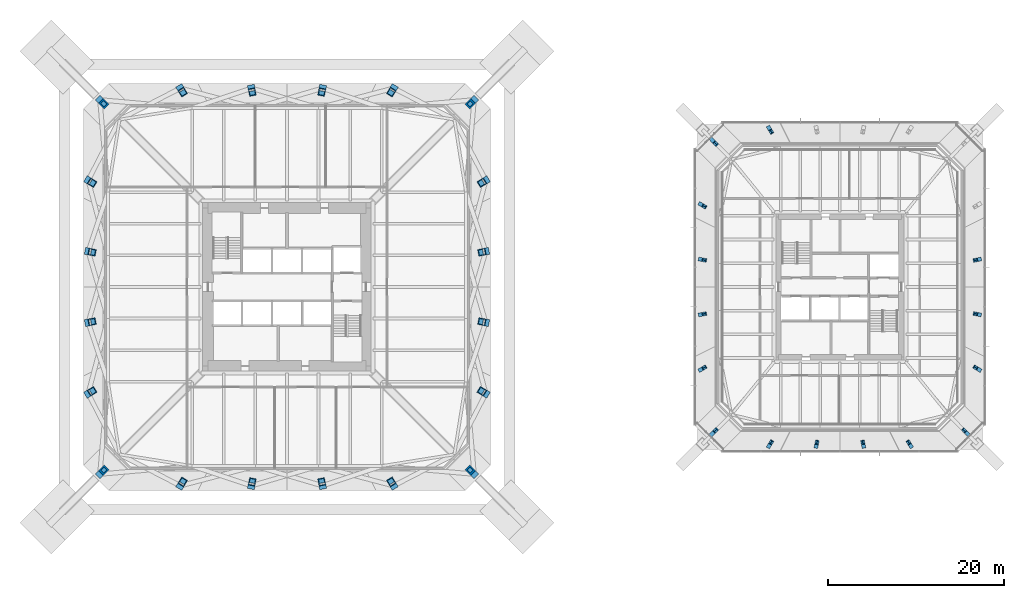
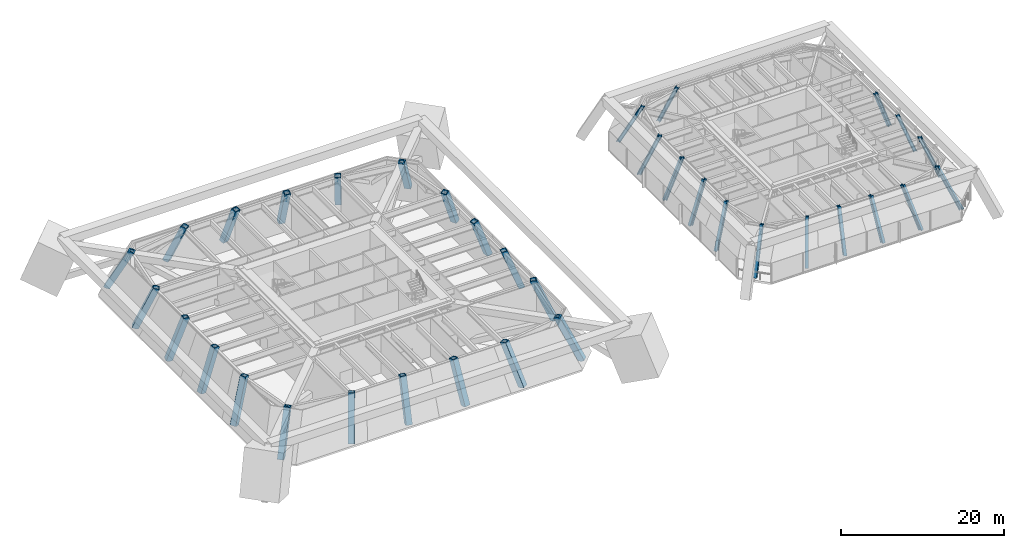
# One storey, part 1 of 16: 35 columns.
"""IFC4 building model written with IfcOpenShell, lengths in metres."""

from ifc_helpers import new_model, si_unit, direction, frame, origin, origin_2d, place, context, subcontext, project, spatial, hollow_rectangle, i_section, extrude, clip, halfspace, material, material_profile, profile_set, type_object, element, save


model = new_model("IFC4")

# Units and contexts
model_context = context("Model", 3, precision=1e-05, world=origin(), true_north=direction((0.0, 1.0)))
body_context = subcontext(model_context, "Body", "Model", "MODEL_VIEW")
ifc_project = project(units=[si_unit("LENGTHUNIT", "METRE"), si_unit("AREAUNIT", "SQUARE_METRE"), si_unit("VOLUMEUNIT", "CUBIC_METRE"), si_unit("PLANEANGLEUNIT", "RADIAN"), si_unit("MASSUNIT", "GRAM", prefix="KILO")], contexts=[model_context])

# Site, building, storey
site_placement = place(None, origin())
site = spatial("IfcSite", under=ifc_project, at=site_placement, CompositionType="ELEMENT")
building_placement = place(site_placement, origin())
building = spatial("IfcBuilding", under=site, at=building_placement, Name="Iwan Alto Co-Living Towers", CompositionType="ELEMENT")
storey_placement = place(building_placement, frame((0.0, 0.0, 74.5)))
storey = spatial("IfcBuildingStorey", under=building, at=storey_placement, Name="L20", CompositionType="ELEMENT", Elevation=74.5)

# Columns
ifc_material_1 = material(Name="Steel ASTM A36", Category="steel")
ifc_material_profile_1 = material_profile(ifc_material_1, hollow_rectangle(XDim=0.800048828125, YDim=0.800048828125, WallThickness=0.179931640625, at=origin_2d()), Name="BOX 800X800X180")
ifc_profile_set_1 = profile_set([ifc_material_profile_1], Name="Steel ASTM A36")
column_type_1 = type_object("IfcColumnType", Name="T1 HEAVY RAKING RING COLUMN BOX 800X800X180", PredefinedType="COLUMN", material=ifc_profile_set_1)
column_1_placement = place(storey_placement, frame((-21.32568359375, -21.32568359375, 0.0), z_axis=(0.331294578225, 0.331294578225, 0.883452208599), x_axis=(-0.707106781187, 0.707106781187, 0.0)))
element("IfcColumn", 1, at=column_1_placement, inside=storey, type_object=column_type_1, Name="T1 raking ring column CSW L20", PredefinedType="COLUMN", context=body_context, shape_type="Clipping", body=[
    clip(clip(extrude(hollow_rectangle(XDim=0.800048828125, YDim=0.800048828125, WallThickness=0.179931640625, at=origin_2d()), origin(), (0.0, 0.0, 1.0), 6.79150390625), halfspace(frame((0.0, 0.0, 0.0), z_axis=(0.0, -0.468521285666, -0.883452208599), x_axis=(-0.707106781187, -0.624695047554, 0.331294578225)), False)), halfspace(frame((0.0, 2.81103515625, 5.30078125), z_axis=(0.0, 0.468521285666, 0.883452208599), x_axis=(-0.707106781187, -0.624695047554, 0.331294578225)), False)),
])
column_2_placement = place(storey_placement, frame((21.32568359375, -21.32568359375, 0.0), z_axis=(-0.331294578225, 0.331294578225, 0.883452208599), x_axis=(-0.707106781187, -0.707106781187, 0.0)))
element("IfcColumn", 2, at=column_2_placement, inside=storey, type_object=column_type_1, Name="T1 raking ring column CSE L20", PredefinedType="COLUMN", context=body_context, shape_type="Clipping", body=[
    clip(clip(extrude(hollow_rectangle(XDim=0.800048828125, YDim=0.800048828125, WallThickness=0.179931640625, at=origin_2d()), origin(), (0.0, 0.0, 1.0), 6.79150390625), halfspace(frame((0.0, 0.0, 0.0), z_axis=(0.0, -0.468521285666, -0.883452208599), x_axis=(-0.707106781187, 0.624695047554, -0.331294578225)), False)), halfspace(frame((0.0, 2.81103515625, 5.30078125), z_axis=(0.0, 0.468521285666, 0.883452208599), x_axis=(-0.707106781187, 0.624695047554, -0.331294578225)), False)),
])
column_3_placement = place(storey_placement, frame((21.32568359375, 21.32568359375, 0.0), z_axis=(-0.331294578225, -0.331294578225, 0.883452208599), x_axis=(0.707106781187, -0.707106781187, 0.0)))
element("IfcColumn", 3, at=column_3_placement, inside=storey, type_object=column_type_1, Name="T1 raking ring column CNE L20", PredefinedType="COLUMN", context=body_context, shape_type="Clipping", body=[
    clip(clip(extrude(hollow_rectangle(XDim=0.800048828125, YDim=0.800048828125, WallThickness=0.179931640625, at=origin_2d()), origin(), (0.0, 0.0, 1.0), 6.79150390625), halfspace(frame((0.0, 0.0, 0.0), z_axis=(0.0, -0.468521285666, -0.883452208599), x_axis=(0.707106781187, 0.624695047554, -0.331294578225)), False)), halfspace(frame((0.0, 2.81103515625, 5.30078125), z_axis=(0.0, 0.468521285666, 0.883452208599), x_axis=(0.707106781187, 0.624695047554, -0.331294578225)), False)),
])
column_4_placement = place(storey_placement, frame((-21.32568359375, 21.32568359375, 0.0), z_axis=(0.331294578225, -0.331294578225, 0.883452208599), x_axis=(0.707106781187, 0.707106781187, 0.0)))
element("IfcColumn", 4, at=column_4_placement, inside=storey, type_object=column_type_1, Name="T1 raking ring column CNW L20", PredefinedType="COLUMN", context=body_context, shape_type="Clipping", body=[
    clip(clip(extrude(hollow_rectangle(XDim=0.800048828125, YDim=0.800048828125, WallThickness=0.179931640625, at=origin_2d()), origin(), (0.0, 0.0, 1.0), 6.79150390625), halfspace(frame((0.0, 0.0, 0.0), z_axis=(0.0, -0.468521285666, -0.883452208599), x_axis=(0.707106781187, -0.624695047554, 0.331294578225)), False)), halfspace(frame((0.0, 2.81103515625, 5.30078125), z_axis=(0.0, 0.468521285666, 0.883452208599), x_axis=(0.707106781187, -0.624695047554, 0.331294578225)), False)),
])
ifc_material_2 = material(Name="Steel ASTM A572 Gr 50", Category="steel")
ifc_material_profile_2 = material_profile(ifc_material_2, hollow_rectangle(XDim=0.800048828125, YDim=0.800048828125, WallThickness=0.090087890625, at=origin_2d()), Name="BOX 800X800X90")
ifc_profile_set_2 = profile_set([ifc_material_profile_2], Name="Steel ASTM A572 Gr 50")
column_type_2 = type_object("IfcColumnType", Name="T1 RAKING RING COLUMN BOX 800X800X90", PredefinedType="COLUMN", material=ifc_profile_set_2)
column_5_placement = place(storey_placement, frame((-12.14990234375, -22.64990234375, 0.0), z_axis=(0.206127500627, 0.343583115532, 0.91622164142), x_axis=(-0.857517554715, 0.514454704863, 0.0)))
element("IfcColumn", 5, at=column_5_placement, inside=storey, type_object=column_type_2, Name="T1 raking ring column S1 L20", PredefinedType="COLUMN", context=body_context, shape_type="Clipping", body=[
    clip(clip(extrude(hollow_rectangle(XDim=0.800048828125, YDim=0.800048828125, WallThickness=0.090087890625, at=origin_2d()), origin(), (0.0, 0.0, 1.0), 6.548583984375), halfspace(frame((0.0, 0.0, 0.0), z_axis=(0.0, -0.400671815572, -0.91622164142), x_axis=(-0.857517554715, -0.471354534126, 0.206127500627)), False)), halfspace(frame((0.0, 2.404052734375, 5.497314453125), z_axis=(0.0, 0.400671815572, 0.91622164142), x_axis=(-0.857517554715, -0.471354534126, 0.206127500627)), False)),
])
column_6_placement = place(storey_placement, frame((-4.050048828125, -22.64990234375, 0.0), z_axis=(0.070044605522, 0.350261033367, 0.934029422311), x_axis=(-0.980584767795, 0.196095673508, 0.0)))
element("IfcColumn", 6, at=column_6_placement, inside=storey, type_object=column_type_2, Name="T1 raking ring column S2 L20", PredefinedType="COLUMN", context=body_context, shape_type="Clipping", body=[
    clip(clip(extrude(hollow_rectangle(XDim=0.800048828125, YDim=0.800048828125, WallThickness=0.090087890625, at=origin_2d()), origin(), (0.0, 0.0, 1.0), 6.423828125), halfspace(frame((0.0, 0.0, 0.0), z_axis=(0.0, -0.357196078167, -0.934029422311), x_axis=(-0.980584767795, -0.183159128644, 0.070044605522)), False)), halfspace(frame((0.0, 2.14306640625, 5.604248046875), z_axis=(0.0, 0.357196078167, 0.934029422311), x_axis=(-0.980584767795, -0.183159128644, 0.070044605522)), False)),
])
column_7_placement = place(storey_placement, frame((4.050048828125, -22.64990234375, 0.0), z_axis=(-0.070044605522, 0.350261033367, 0.934029422311), x_axis=(-0.980584767795, -0.196095673508, 0.0)))
element("IfcColumn", 7, at=column_7_placement, inside=storey, type_object=column_type_2, Name="T1 raking ring column S3 L20", PredefinedType="COLUMN", context=body_context, shape_type="Clipping", body=[
    clip(clip(extrude(hollow_rectangle(XDim=0.800048828125, YDim=0.800048828125, WallThickness=0.090087890625, at=origin_2d()), origin(), (0.0, 0.0, 1.0), 6.423828125), halfspace(frame((0.0, 0.0, 0.0), z_axis=(0.0, -0.357196078167, -0.934029422311), x_axis=(-0.980584767795, 0.183159128644, -0.070044605522)), False)), halfspace(frame((0.0, 2.14306640625, 5.604248046875), z_axis=(0.0, 0.357196078167, 0.934029422311), x_axis=(-0.980584767795, 0.183159128644, -0.070044605522)), False)),
])
column_8_placement = place(storey_placement, frame((12.14990234375, -22.64990234375, 0.0), z_axis=(-0.206127500627, 0.343583115532, 0.91622164142), x_axis=(-0.857517554715, -0.514454704863, 0.0)))
element("IfcColumn", 8, at=column_8_placement, inside=storey, type_object=column_type_2, Name="T1 raking ring column S4 L20", PredefinedType="COLUMN", context=body_context, shape_type="Clipping", body=[
    clip(clip(extrude(hollow_rectangle(XDim=0.800048828125, YDim=0.800048828125, WallThickness=0.090087890625, at=origin_2d()), origin(), (0.0, 0.0, 1.0), 6.548583984375), halfspace(frame((0.0, 0.0, 0.0), z_axis=(0.0, -0.400671815572, -0.91622164142), x_axis=(-0.857517554715, 0.471354534126, -0.206127500627)), False)), halfspace(frame((0.0, 2.404052734375, 5.497314453125), z_axis=(0.0, 0.400671815572, 0.91622164142), x_axis=(-0.857517554715, 0.471354534126, -0.206127500627)), False)),
])
column_9_placement = place(storey_placement, frame((22.64990234375, -12.14990234375, 0.0), z_axis=(-0.343583115532, 0.206127500627, 0.91622164142), x_axis=(-0.514454704863, -0.857517554715, 0.0)))
element("IfcColumn", 9, at=column_9_placement, inside=storey, type_object=column_type_2, Name="T1 raking ring column E1 L20", PredefinedType="COLUMN", context=body_context, shape_type="Clipping", body=[
    clip(clip(extrude(hollow_rectangle(XDim=0.800048828125, YDim=0.800048828125, WallThickness=0.090087890625, at=origin_2d()), origin(), (0.0, 0.0, 1.0), 6.548583984375), halfspace(frame((0.0, 0.0, 0.0), z_axis=(0.0, -0.400671815572, -0.91622164142), x_axis=(-0.514454704863, 0.785676141527, -0.343583115532)), False)), halfspace(frame((0.0, 2.404052734375, 5.497314453125), z_axis=(0.0, 0.400671815572, 0.91622164142), x_axis=(-0.514454704863, 0.785676141527, -0.343583115532)), False)),
])
column_10_placement = place(storey_placement, frame((22.64990234375, -4.050048828125, 0.0), z_axis=(-0.350261033367, 0.070044605522, 0.934029422311), x_axis=(-0.196095673508, -0.980584767795, 0.0)))
element("IfcColumn", 10, at=column_10_placement, inside=storey, type_object=column_type_2, Name="T1 raking ring column E2 L20", PredefinedType="COLUMN", context=body_context, shape_type="Clipping", body=[
    clip(clip(extrude(hollow_rectangle(XDim=0.800048828125, YDim=0.800048828125, WallThickness=0.090087890625, at=origin_2d()), origin(), (0.0, 0.0, 1.0), 6.423828125), halfspace(frame((0.0, 0.0, 0.0), z_axis=(0.0, -0.357196078167, -0.934029422311), x_axis=(-0.196095673508, 0.91589502419, -0.350261033367)), False)), halfspace(frame((0.0, 2.14306640625, 5.604248046875), z_axis=(0.0, 0.357196078167, 0.934029422311), x_axis=(-0.196095673508, 0.91589502419, -0.350261033367)), False)),
])
column_11_placement = place(storey_placement, frame((22.64990234375, 4.050048828125, 0.0), z_axis=(-0.350261033367, -0.070044605522, 0.934029422311), x_axis=(0.196095673508, -0.980584767795, 0.0)))
element("IfcColumn", 11, at=column_11_placement, inside=storey, type_object=column_type_2, Name="T1 raking ring column E3 L20", PredefinedType="COLUMN", context=body_context, shape_type="Clipping", body=[
    clip(clip(extrude(hollow_rectangle(XDim=0.800048828125, YDim=0.800048828125, WallThickness=0.090087890625, at=origin_2d()), origin(), (0.0, 0.0, 1.0), 6.423828125), halfspace(frame((0.0, 0.0, 0.0), z_axis=(0.0, -0.357196078167, -0.934029422311), x_axis=(0.196095673508, 0.91589502419, -0.350261033367)), False)), halfspace(frame((0.0, 2.14306640625, 5.604248046875), z_axis=(0.0, 0.357196078167, 0.934029422311), x_axis=(0.196095673508, 0.91589502419, -0.350261033367)), False)),
])
column_12_placement = place(storey_placement, frame((22.64990234375, 12.14990234375, 0.0), z_axis=(-0.343583115532, -0.206127500627, 0.91622164142), x_axis=(0.514454704863, -0.857517554715, 0.0)))
element("IfcColumn", 12, at=column_12_placement, inside=storey, type_object=column_type_2, Name="T1 raking ring column E4 L20", PredefinedType="COLUMN", context=body_context, shape_type="Clipping", body=[
    clip(clip(extrude(hollow_rectangle(XDim=0.800048828125, YDim=0.800048828125, WallThickness=0.090087890625, at=origin_2d()), origin(), (0.0, 0.0, 1.0), 6.548583984375), halfspace(frame((0.0, 0.0, 0.0), z_axis=(0.0, -0.400671815572, -0.91622164142), x_axis=(0.514454704863, 0.785676141527, -0.343583115532)), False)), halfspace(frame((0.0, 2.404052734375, 5.497314453125), z_axis=(0.0, 0.400671815572, 0.91622164142), x_axis=(0.514454704863, 0.785676141527, -0.343583115532)), False)),
])
column_13_placement = place(storey_placement, frame((12.14990234375, 22.64990234375, 0.0), z_axis=(-0.206127500627, -0.343583115532, 0.91622164142), x_axis=(0.857517554715, -0.514454704863, 0.0)))
element("IfcColumn", 13, at=column_13_placement, inside=storey, type_object=column_type_2, Name="T1 raking ring column N1 L20", PredefinedType="COLUMN", context=body_context, shape_type="Clipping", body=[
    clip(clip(extrude(hollow_rectangle(XDim=0.800048828125, YDim=0.800048828125, WallThickness=0.090087890625, at=origin_2d()), origin(), (0.0, 0.0, 1.0), 6.548583984375), halfspace(frame((0.0, 0.0, 0.0), z_axis=(0.0, -0.400671815572, -0.91622164142), x_axis=(0.857517554715, 0.471354534126, -0.206127500627)), False)), halfspace(frame((0.0, 2.404052734375, 5.497314453125), z_axis=(0.0, 0.400671815572, 0.91622164142), x_axis=(0.857517554715, 0.471354534126, -0.206127500627)), False)),
])
column_14_placement = place(storey_placement, frame((4.050048828125, 22.64990234375, 0.0), z_axis=(-0.070044605522, -0.350261033367, 0.934029422311), x_axis=(0.980584767795, -0.196095673508, 0.0)))
element("IfcColumn", 14, at=column_14_placement, inside=storey, type_object=column_type_2, Name="T1 raking ring column N2 L20", PredefinedType="COLUMN", context=body_context, shape_type="Clipping", body=[
    clip(clip(extrude(hollow_rectangle(XDim=0.800048828125, YDim=0.800048828125, WallThickness=0.090087890625, at=origin_2d()), origin(), (0.0, 0.0, 1.0), 6.423828125), halfspace(frame((0.0, 0.0, 0.0), z_axis=(0.0, -0.357196078167, -0.934029422311), x_axis=(0.980584767795, 0.183159128644, -0.070044605522)), False)), halfspace(frame((0.0, 2.14306640625, 5.604248046875), z_axis=(0.0, 0.357196078167, 0.934029422311), x_axis=(0.980584767795, 0.183159128644, -0.070044605522)), False)),
])
column_15_placement = place(storey_placement, frame((-4.050048828125, 22.64990234375, 0.0), z_axis=(0.070044605522, -0.350261033367, 0.934029422311), x_axis=(0.980584767795, 0.196095673508, 0.0)))
element("IfcColumn", 15, at=column_15_placement, inside=storey, type_object=column_type_2, Name="T1 raking ring column N3 L20", PredefinedType="COLUMN", context=body_context, shape_type="Clipping", body=[
    clip(clip(extrude(hollow_rectangle(XDim=0.800048828125, YDim=0.800048828125, WallThickness=0.090087890625, at=origin_2d()), origin(), (0.0, 0.0, 1.0), 6.423828125), halfspace(frame((0.0, 0.0, 0.0), z_axis=(0.0, -0.357196078167, -0.934029422311), x_axis=(0.980584767795, -0.183159128644, 0.070044605522)), False)), halfspace(frame((0.0, 2.14306640625, 5.604248046875), z_axis=(0.0, 0.357196078167, 0.934029422311), x_axis=(0.980584767795, -0.183159128644, 0.070044605522)), False)),
])
column_16_placement = place(storey_placement, frame((-12.14990234375, 22.64990234375, 0.0), z_axis=(0.206127500627, -0.343583115532, 0.91622164142), x_axis=(0.857517554715, 0.514454704863, 0.0)))
element("IfcColumn", 16, at=column_16_placement, inside=storey, type_object=column_type_2, Name="T1 raking ring column N4 L20", PredefinedType="COLUMN", context=body_context, shape_type="Clipping", body=[
    clip(clip(extrude(hollow_rectangle(XDim=0.800048828125, YDim=0.800048828125, WallThickness=0.090087890625, at=origin_2d()), origin(), (0.0, 0.0, 1.0), 6.548583984375), halfspace(frame((0.0, 0.0, 0.0), z_axis=(0.0, -0.400671815572, -0.91622164142), x_axis=(0.857517554715, -0.471354534126, 0.206127500627)), False)), halfspace(frame((0.0, 2.404052734375, 5.497314453125), z_axis=(0.0, 0.400671815572, 0.91622164142), x_axis=(0.857517554715, -0.471354534126, 0.206127500627)), False)),
])
column_17_placement = place(storey_placement, frame((-22.64990234375, 12.14990234375, 0.0), z_axis=(0.343583115532, -0.206127500627, 0.91622164142), x_axis=(0.514454704863, 0.857517554715, 0.0)))
element("IfcColumn", 17, at=column_17_placement, inside=storey, type_object=column_type_2, Name="T1 raking ring column W1 L20", PredefinedType="COLUMN", context=body_context, shape_type="Clipping", body=[
    clip(clip(extrude(hollow_rectangle(XDim=0.800048828125, YDim=0.800048828125, WallThickness=0.090087890625, at=origin_2d()), origin(), (0.0, 0.0, 1.0), 6.548583984375), halfspace(frame((0.0, 0.0, 0.0), z_axis=(0.0, -0.400671815572, -0.91622164142), x_axis=(0.514454704863, -0.785676141527, 0.343583115532)), False)), halfspace(frame((0.0, 2.404052734375, 5.497314453125), z_axis=(0.0, 0.400671815572, 0.91622164142), x_axis=(0.514454704863, -0.785676141527, 0.343583115532)), False)),
])
column_18_placement = place(storey_placement, frame((-22.64990234375, 4.050048828125, 0.0), z_axis=(0.350261033367, -0.070044605522, 0.934029422311), x_axis=(0.196095673508, 0.980584767795, 0.0)))
element("IfcColumn", 18, at=column_18_placement, inside=storey, type_object=column_type_2, Name="T1 raking ring column W2 L20", PredefinedType="COLUMN", context=body_context, shape_type="Clipping", body=[
    clip(clip(extrude(hollow_rectangle(XDim=0.800048828125, YDim=0.800048828125, WallThickness=0.090087890625, at=origin_2d()), origin(), (0.0, 0.0, 1.0), 6.423828125), halfspace(frame((0.0, 0.0, 0.0), z_axis=(0.0, -0.357196078167, -0.934029422311), x_axis=(0.196095673508, -0.91589502419, 0.350261033367)), False)), halfspace(frame((0.0, 2.14306640625, 5.604248046875), z_axis=(0.0, 0.357196078167, 0.934029422311), x_axis=(0.196095673508, -0.91589502419, 0.350261033367)), False)),
])
column_19_placement = place(storey_placement, frame((-22.64990234375, -4.050048828125, 0.0), z_axis=(0.350261033367, 0.070044605522, 0.934029422311), x_axis=(-0.196095673508, 0.980584767795, 0.0)))
element("IfcColumn", 19, at=column_19_placement, inside=storey, type_object=column_type_2, Name="T1 raking ring column W3 L20", PredefinedType="COLUMN", context=body_context, shape_type="Clipping", body=[
    clip(clip(extrude(hollow_rectangle(XDim=0.800048828125, YDim=0.800048828125, WallThickness=0.090087890625, at=origin_2d()), origin(), (0.0, 0.0, 1.0), 6.423828125), halfspace(frame((0.0, 0.0, 0.0), z_axis=(0.0, -0.357196078167, -0.934029422311), x_axis=(-0.196095673508, -0.91589502419, 0.350261033367)), False)), halfspace(frame((0.0, 2.14306640625, 5.604248046875), z_axis=(0.0, 0.357196078167, 0.934029422311), x_axis=(-0.196095673508, -0.91589502419, 0.350261033367)), False)),
])
column_20_placement = place(storey_placement, frame((-22.64990234375, -12.14990234375, 0.0), z_axis=(0.343583115532, 0.206127500627, 0.91622164142), x_axis=(-0.514454704863, 0.857517554715, 0.0)))
element("IfcColumn", 20, at=column_20_placement, inside=storey, type_object=column_type_2, Name="T1 raking ring column W4 L20", PredefinedType="COLUMN", context=body_context, shape_type="Clipping", body=[
    clip(clip(extrude(hollow_rectangle(XDim=0.800048828125, YDim=0.800048828125, WallThickness=0.090087890625, at=origin_2d()), origin(), (0.0, 0.0, 1.0), 6.548583984375), halfspace(frame((0.0, 0.0, 0.0), z_axis=(0.0, -0.400671815572, -0.91622164142), x_axis=(-0.514454704863, -0.785676141527, 0.343583115532)), False)), halfspace(frame((0.0, 2.404052734375, 5.497314453125), z_axis=(0.0, 0.400671815572, 0.91622164142), x_axis=(-0.514454704863, -0.785676141527, 0.343583115532)), False)),
])
ifc_material_3 = material(Name="Steel ASTM A992 Gr 50", Category="steel")
ifc_material_profile_3 = material_profile(ifc_material_3, i_section(OverallWidth=0.424072265625, OverallDepth=0.47509765625, WebThickness=0.0478515625, FlangeThickness=0.0771484375, at=origin_2d()), Name="W14X426")
ifc_profile_set_3 = profile_set([ifc_material_profile_3], Name="Steel ASTM A992 Gr 50")
column_type_3 = type_object("IfcColumnType", Name="T2 RAKING RING COLUMN W14X426", PredefinedType="COLUMN", material=ifc_profile_set_3)
column_21_placement = place(storey_placement, frame((48.393798828125, -16.797119140625, 0.0), z_axis=(0.330551321937, 0.331953334069, 0.883483337458), x_axis=(-0.708601594959, 0.705608800698, 0.0)))
element("IfcColumn", 21, at=column_21_placement, inside=storey, type_object=column_type_3, Name="T2 raking ring column CSW L20", PredefinedType="COLUMN", context=body_context, shape_type="Clipping", body=[
    clip(clip(extrude(i_section(OverallWidth=0.424072265625, OverallDepth=0.47509765625, WebThickness=0.0478515625, FlangeThickness=0.0771484375, at=origin_2d()), origin(), (0.0, 0.0, 1.0), 6.791259765625), halfspace(frame((0.0, 0.0, 0.0), z_axis=(0.0, -0.468462583814, -0.883483337458), x_axis=(-0.708601594959, -0.62339361818, 0.330551321937)), False)), halfspace(frame((0.0, 2.810791015625, 5.30078125), z_axis=(0.0, 0.468462583814, 0.883483337458), x_axis=(-0.708601594959, -0.62339361818, 0.330551321937)), False)),
])
column_22_placement = place(storey_placement, frame((54.89990234375, -18.14990234375, 0.0), z_axis=(0.206163197348, 0.343580475001, 0.916214600002), x_axis=(-0.857476506072, 0.514523120505, 0.0)))
element("IfcColumn", 22, at=column_22_placement, inside=storey, type_object=column_type_3, Name="T2 raking ring column S1 L20", PredefinedType="COLUMN", context=body_context, shape_type="Clipping", body=[
    clip(clip(extrude(i_section(OverallWidth=0.424072265625, OverallDepth=0.47509765625, WebThickness=0.0478515625, FlangeThickness=0.0771484375, at=origin_2d()), origin(), (0.0, 0.0, 1.0), 6.548583984375), halfspace(frame((0.0, 0.0, 0.0), z_axis=(0.0, -0.400687916891, -0.916214600002), x_axis=(-0.857476506072, -0.471413595046, 0.206163197348)), False)), halfspace(frame((0.0, 2.404052734375, 5.497314453125), z_axis=(0.0, 0.400687916891, 0.916214600002), x_axis=(-0.857476506072, -0.471413595046, 0.206163197348)), False)),
])
column_23_placement = place(storey_placement, frame((60.300048828125, -18.14990234375, 0.0), z_axis=(0.070044605522, 0.350261033367, 0.934029422311), x_axis=(-0.980584767795, 0.196095673508, 0.0)))
element("IfcColumn", 23, at=column_23_placement, inside=storey, type_object=column_type_3, Name="T2 raking ring column S2 L20", PredefinedType="COLUMN", context=body_context, shape_type="Clipping", body=[
    clip(clip(extrude(i_section(OverallWidth=0.424072265625, OverallDepth=0.47509765625, WebThickness=0.0478515625, FlangeThickness=0.0771484375, at=origin_2d()), origin(), (0.0, 0.0, 1.0), 6.423828125), halfspace(frame((0.0, 0.0, 0.0), z_axis=(0.0, -0.357196078167, -0.934029422311), x_axis=(-0.980584767795, -0.183159128644, 0.070044605522)), False)), halfspace(frame((0.0, 2.14306640625, 5.604248046875), z_axis=(0.0, 0.357196078167, 0.934029422311), x_axis=(-0.980584767795, -0.183159128644, 0.070044605522)), False)),
])
column_24_placement = place(storey_placement, frame((65.699951171875, -18.14990234375, 0.0), z_axis=(-0.070044605522, 0.350261033367, 0.934029422311), x_axis=(-0.980584767795, -0.196095673508, 0.0)))
element("IfcColumn", 24, at=column_24_placement, inside=storey, type_object=column_type_3, Name="T2 raking ring column S3 L20", PredefinedType="COLUMN", context=body_context, shape_type="Clipping", body=[
    clip(clip(extrude(i_section(OverallWidth=0.424072265625, OverallDepth=0.47509765625, WebThickness=0.0478515625, FlangeThickness=0.0771484375, at=origin_2d()), origin(), (0.0, 0.0, 1.0), 6.423828125), halfspace(frame((0.0, 0.0, 0.0), z_axis=(0.0, -0.357196078167, -0.934029422311), x_axis=(-0.980584767795, 0.183159128644, -0.070044605522)), False)), halfspace(frame((0.0, 2.14306640625, 5.604248046875), z_axis=(0.0, 0.357196078167, 0.934029422311), x_axis=(-0.980584767795, 0.183159128644, -0.070044605522)), False)),
])
column_25_placement = place(storey_placement, frame((71.10009765625, -18.14990234375, 0.0), z_axis=(-0.206163197348, 0.343580475001, 0.916214600002), x_axis=(-0.857476506072, -0.514523120505, 0.0)))
element("IfcColumn", 25, at=column_25_placement, inside=storey, type_object=column_type_3, Name="T2 raking ring column S4 L20", PredefinedType="COLUMN", context=body_context, shape_type="Clipping", body=[
    clip(clip(extrude(i_section(OverallWidth=0.424072265625, OverallDepth=0.47509765625, WebThickness=0.0478515625, FlangeThickness=0.0771484375, at=origin_2d()), origin(), (0.0, 0.0, 1.0), 6.548583984375), halfspace(frame((0.0, 0.0, 0.0), z_axis=(0.0, -0.400687916891, -0.916214600002), x_axis=(-0.857476506072, 0.471413595046, -0.206163197348)), False)), halfspace(frame((0.0, 2.404052734375, 5.497314453125), z_axis=(0.0, 0.400687916891, 0.916214600002), x_axis=(-0.857476506072, 0.471413595046, -0.206163197348)), False)),
])
column_26_placement = place(storey_placement, frame((77.606201171875, -16.797119140625, 0.0), z_axis=(-0.330551321937, 0.331953334069, 0.883483337458), x_axis=(-0.708601594959, -0.705608800698, 0.0)))
element("IfcColumn", 26, at=column_26_placement, inside=storey, type_object=column_type_3, Name="T2 raking ring column CSE L20", PredefinedType="COLUMN", context=body_context, shape_type="Clipping", body=[
    clip(clip(extrude(i_section(OverallWidth=0.424072265625, OverallDepth=0.47509765625, WebThickness=0.0478515625, FlangeThickness=0.0771484375, at=origin_2d()), origin(), (0.0, 0.0, 1.0), 6.791259765625), halfspace(frame((0.0, 0.0, 0.0), z_axis=(0.0, -0.468462583814, -0.883483337458), x_axis=(-0.708601594959, 0.62339361818, -0.330551321937)), False)), halfspace(frame((0.0, 2.810791015625, 5.30078125), z_axis=(0.0, 0.468462583814, 0.883483337458), x_axis=(-0.708601594959, 0.62339361818, -0.330551321937)), False)),
])
column_27_placement = place(storey_placement, frame((78.89990234375, -9.449951171875, 0.0), z_axis=(-0.343583115532, 0.206127500627, 0.91622164142), x_axis=(-0.514454704863, -0.857517554715, 0.0)))
element("IfcColumn", 27, at=column_27_placement, inside=storey, type_object=column_type_3, Name="T2 raking ring column E1 L20", PredefinedType="COLUMN", context=body_context, shape_type="Clipping", body=[
    clip(clip(extrude(i_section(OverallWidth=0.424072265625, OverallDepth=0.47509765625, WebThickness=0.0478515625, FlangeThickness=0.0771484375, at=origin_2d()), origin(), (0.0, 0.0, 1.0), 6.548583984375), halfspace(frame((0.0, 0.0, 0.0), z_axis=(0.0, -0.400671815572, -0.91622164142), x_axis=(-0.514454704863, 0.785676141527, -0.343583115532)), False)), halfspace(frame((0.0, 2.404052734375, 5.497314453125), z_axis=(0.0, 0.400671815572, 0.91622164142), x_axis=(-0.514454704863, 0.785676141527, -0.343583115532)), False)),
])
column_28_placement = place(storey_placement, frame((78.89990234375, -3.14990234375, 0.0), z_axis=(-0.350261033367, 0.070044605522, 0.934029422311), x_axis=(-0.196095673508, -0.980584767795, 0.0)))
element("IfcColumn", 28, at=column_28_placement, inside=storey, type_object=column_type_3, Name="T2 raking ring column E2 L20", PredefinedType="COLUMN", context=body_context, shape_type="Clipping", body=[
    clip(clip(extrude(i_section(OverallWidth=0.424072265625, OverallDepth=0.47509765625, WebThickness=0.0478515625, FlangeThickness=0.0771484375, at=origin_2d()), origin(), (0.0, 0.0, 1.0), 6.423828125), halfspace(frame((0.0, 0.0, 0.0), z_axis=(0.0, -0.357196078167, -0.934029422311), x_axis=(-0.196095673508, 0.91589502419, -0.350261033367)), False)), halfspace(frame((0.0, 2.14306640625, 5.604248046875), z_axis=(0.0, 0.357196078167, 0.934029422311), x_axis=(-0.196095673508, 0.91589502419, -0.350261033367)), False)),
])
column_29_placement = place(storey_placement, frame((78.89990234375, 3.14990234375, 0.0), z_axis=(-0.350261033367, -0.070044605522, 0.934029422311), x_axis=(0.196095673508, -0.980584767795, 0.0)))
element("IfcColumn", 29, at=column_29_placement, inside=storey, type_object=column_type_3, Name="T2 raking ring column E3 L20", PredefinedType="COLUMN", context=body_context, shape_type="Clipping", body=[
    clip(clip(extrude(i_section(OverallWidth=0.424072265625, OverallDepth=0.47509765625, WebThickness=0.0478515625, FlangeThickness=0.0771484375, at=origin_2d()), origin(), (0.0, 0.0, 1.0), 6.423828125), halfspace(frame((0.0, 0.0, 0.0), z_axis=(0.0, -0.357196078167, -0.934029422311), x_axis=(0.196095673508, 0.91589502419, -0.350261033367)), False)), halfspace(frame((0.0, 2.14306640625, 5.604248046875), z_axis=(0.0, 0.357196078167, 0.934029422311), x_axis=(0.196095673508, 0.91589502419, -0.350261033367)), False)),
])
column_30_placement = place(storey_placement, frame((54.89990234375, 18.14990234375, 0.0), z_axis=(0.206163197348, -0.343580475001, 0.916214600002), x_axis=(0.857476506072, 0.514523120505, 0.0)))
element("IfcColumn", 30, at=column_30_placement, inside=storey, type_object=column_type_3, Name="T2 raking ring column N4 L20", PredefinedType="COLUMN", context=body_context, shape_type="Clipping", body=[
    clip(clip(extrude(i_section(OverallWidth=0.424072265625, OverallDepth=0.47509765625, WebThickness=0.0478515625, FlangeThickness=0.0771484375, at=origin_2d()), origin(), (0.0, 0.0, 1.0), 6.548583984375), halfspace(frame((0.0, 0.0, 0.0), z_axis=(0.0, -0.400687916891, -0.916214600002), x_axis=(0.857476506072, -0.471413595046, 0.206163197348)), False)), halfspace(frame((0.0, 2.404052734375, 5.497314453125), z_axis=(0.0, 0.400687916891, 0.916214600002), x_axis=(0.857476506072, -0.471413595046, 0.206163197348)), False)),
])
column_31_placement = place(storey_placement, frame((48.393798828125, 16.797119140625, 0.0), z_axis=(0.330551321937, -0.331953334069, 0.883483337458), x_axis=(0.708601594959, 0.705608800698, 0.0)))
element("IfcColumn", 31, at=column_31_placement, inside=storey, type_object=column_type_3, Name="T2 raking ring column CNW L20", PredefinedType="COLUMN", context=body_context, shape_type="Clipping", body=[
    clip(clip(extrude(i_section(OverallWidth=0.424072265625, OverallDepth=0.47509765625, WebThickness=0.0478515625, FlangeThickness=0.0771484375, at=origin_2d()), origin(), (0.0, 0.0, 1.0), 6.791259765625), halfspace(frame((0.0, 0.0, 0.0), z_axis=(0.0, -0.468462583814, -0.883483337458), x_axis=(0.708601594959, -0.62339361818, 0.330551321937)), False)), halfspace(frame((0.0, 2.810791015625, 5.30078125), z_axis=(0.0, 0.468462583814, 0.883483337458), x_axis=(0.708601594959, -0.62339361818, 0.330551321937)), False)),
])
column_32_placement = place(storey_placement, frame((47.10009765625, 9.449951171875, 0.0), z_axis=(0.343583115532, -0.206127500627, 0.91622164142), x_axis=(0.514454704863, 0.857517554715, 0.0)))
element("IfcColumn", 32, at=column_32_placement, inside=storey, type_object=column_type_3, Name="T2 raking ring column W1 L20", PredefinedType="COLUMN", context=body_context, shape_type="Clipping", body=[
    clip(clip(extrude(i_section(OverallWidth=0.424072265625, OverallDepth=0.47509765625, WebThickness=0.0478515625, FlangeThickness=0.0771484375, at=origin_2d()), origin(), (0.0, 0.0, 1.0), 6.548583984375), halfspace(frame((0.0, 0.0, 0.0), z_axis=(0.0, -0.400671815572, -0.91622164142), x_axis=(0.514454704863, -0.785676141527, 0.343583115532)), False)), halfspace(frame((0.0, 2.404052734375, 5.497314453125), z_axis=(0.0, 0.400671815572, 0.91622164142), x_axis=(0.514454704863, -0.785676141527, 0.343583115532)), False)),
])
column_33_placement = place(storey_placement, frame((47.10009765625, 3.14990234375, 0.0), z_axis=(0.350261033367, -0.070044605522, 0.934029422311), x_axis=(0.196095673508, 0.980584767795, 0.0)))
element("IfcColumn", 33, at=column_33_placement, inside=storey, type_object=column_type_3, Name="T2 raking ring column W2 L20", PredefinedType="COLUMN", context=body_context, shape_type="Clipping", body=[
    clip(clip(extrude(i_section(OverallWidth=0.424072265625, OverallDepth=0.47509765625, WebThickness=0.0478515625, FlangeThickness=0.0771484375, at=origin_2d()), origin(), (0.0, 0.0, 1.0), 6.423828125), halfspace(frame((0.0, 0.0, 0.0), z_axis=(0.0, -0.357196078167, -0.934029422311), x_axis=(0.196095673508, -0.91589502419, 0.350261033367)), False)), halfspace(frame((0.0, 2.14306640625, 5.604248046875), z_axis=(0.0, 0.357196078167, 0.934029422311), x_axis=(0.196095673508, -0.91589502419, 0.350261033367)), False)),
])
column_34_placement = place(storey_placement, frame((47.10009765625, -3.14990234375, 0.0), z_axis=(0.350261033367, 0.070044605522, 0.934029422311), x_axis=(-0.196095673508, 0.980584767795, 0.0)))
element("IfcColumn", 34, at=column_34_placement, inside=storey, type_object=column_type_3, Name="T2 raking ring column W3 L20", PredefinedType="COLUMN", context=body_context, shape_type="Clipping", body=[
    clip(clip(extrude(i_section(OverallWidth=0.424072265625, OverallDepth=0.47509765625, WebThickness=0.0478515625, FlangeThickness=0.0771484375, at=origin_2d()), origin(), (0.0, 0.0, 1.0), 6.423828125), halfspace(frame((0.0, 0.0, 0.0), z_axis=(0.0, -0.357196078167, -0.934029422311), x_axis=(-0.196095673508, -0.91589502419, 0.350261033367)), False)), halfspace(frame((0.0, 2.14306640625, 5.604248046875), z_axis=(0.0, 0.357196078167, 0.934029422311), x_axis=(-0.196095673508, -0.91589502419, 0.350261033367)), False)),
])
column_35_placement = place(storey_placement, frame((47.10009765625, -9.449951171875, 0.0), z_axis=(0.343583115532, 0.206127500627, 0.91622164142), x_axis=(-0.514454704863, 0.857517554715, 0.0)))
element("IfcColumn", 35, at=column_35_placement, inside=storey, type_object=column_type_3, Name="T2 raking ring column W4 L20", PredefinedType="COLUMN", context=body_context, shape_type="Clipping", body=[
    clip(clip(extrude(i_section(OverallWidth=0.424072265625, OverallDepth=0.47509765625, WebThickness=0.0478515625, FlangeThickness=0.0771484375, at=origin_2d()), origin(), (0.0, 0.0, 1.0), 6.548583984375), halfspace(frame((0.0, 0.0, 0.0), z_axis=(0.0, -0.400671815572, -0.91622164142), x_axis=(-0.514454704863, -0.785676141527, 0.343583115532)), False)), halfspace(frame((0.0, 2.404052734375, 5.497314453125), z_axis=(0.0, 0.400671815572, 0.91622164142), x_axis=(-0.514454704863, -0.785676141527, 0.343583115532)), False)),
])

save(model, "model.ifc")
